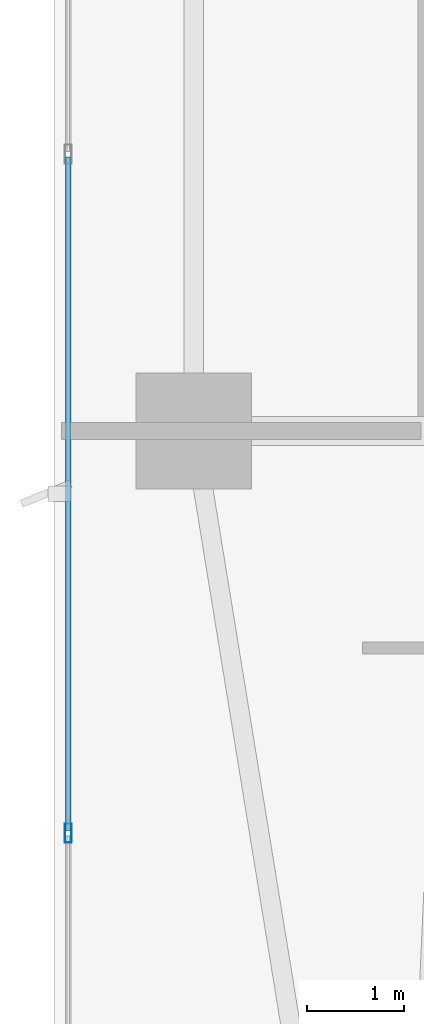
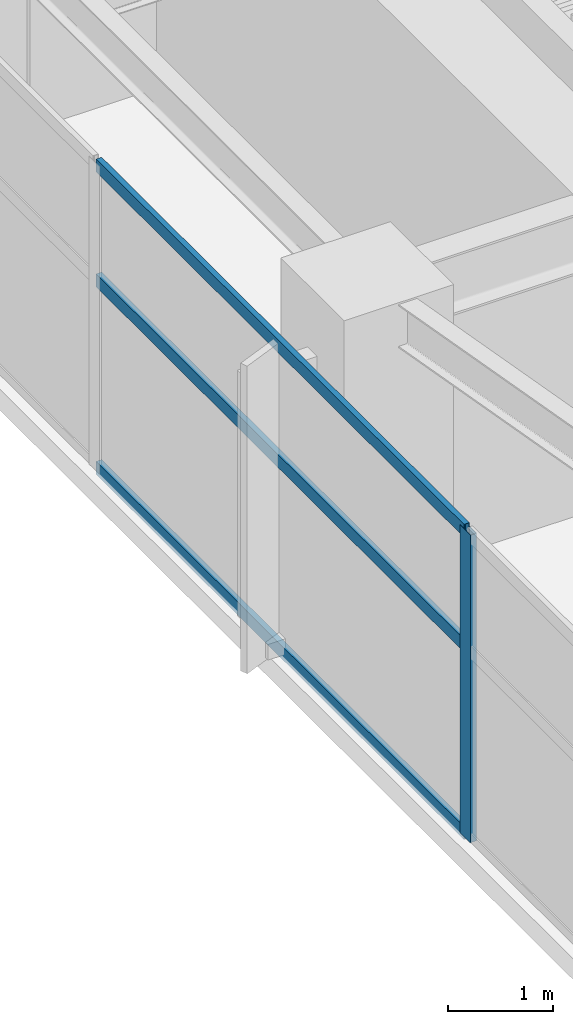
# One storey, part 4 of 28: 4 members, 1 element without a shape of its own.
"""IFC4 building model written with IfcOpenShell, lengths in metres."""

from ifc_helpers import new_model, si_unit, direction, frame, origin, origin_2d, place, context, subcontext, project, spatial, hollow_rectangle, extrude, material, layer, layer_set, material_profile, profile_set, type_object, element, aggregate, save


model = new_model("IFC4")

# Units and contexts
model_context = context("Model", 3, precision=1e-05, world=origin(), true_north=direction((0.0, 1.0)))
body_context = subcontext(model_context, "Body", "Model", "MODEL_VIEW")
ifc_project = project(units=[si_unit("LENGTHUNIT", "METRE"), si_unit("AREAUNIT", "SQUARE_METRE"), si_unit("VOLUMEUNIT", "CUBIC_METRE"), si_unit("PLANEANGLEUNIT", "RADIAN"), si_unit("MASSUNIT", "GRAM", prefix="KILO")], contexts=[model_context])

# Site, building, storey
site_placement = place(None, origin())
site = spatial("IfcSite", under=ifc_project, at=site_placement, CompositionType="ELEMENT")
building_placement = place(site_placement, origin())
building = spatial("IfcBuilding", under=site, at=building_placement, Name="Calvorn Quay Hotel", CompositionType="ELEMENT")
storey_placement = place(building_placement, frame((0.0, 0.0, 116.39990234375)))
storey = spatial("IfcBuildingStorey", under=building, at=storey_placement, Name="L28", CompositionType="ELEMENT", Elevation=116.39990234375)

# Curtain wall, members
ifc_material_1 = material(Name="Pale Anodised Aluminium and Low-E Glass", Category="aluminium")
ifc_layer = layer(ifc_material_1, 0.219970703125)
ifc_layer_set = layer_set([ifc_layer], Name="CW-SYS-Z2")
curtain_wall_type = type_object("IfcCurtainWallType", Name="CW-SYS-Z2", PredefinedType="NOTDEFINED", material=ifc_layer_set)
curtain_wall_placement = place(storey_placement, origin())
curtain_wall = element("IfcCurtainWall", 1, at=curtain_wall_placement, inside=storey, type_object=curtain_wall_type, Name="Tower West Curtain Wall (L28)", PredefinedType="NOTDEFINED")
ifc_material_2 = material(Name="Pale Anodised Aluminium 6063-T6", Category="aluminium")
ifc_material_profile_1 = material_profile(ifc_material_2, hollow_rectangle(XDim=0.070068359375, YDim=0.199951171875, WallThickness=0.00390625, at=origin_2d()), Name="ALU-M200x70x4")
ifc_profile_set_1 = profile_set([ifc_material_profile_1], Name="Pale Anodised Aluminium 6063-T6")
member_type_1 = type_object("IfcMemberType", Name="CW-SYS-Z2-MUL", PredefinedType="MULLION", material=ifc_profile_set_1)
member_1_placement = place(storey_placement, frame((0.14990234375, 12.63330078125, 0.0), z_axis=(0.0, 0.0, 1.0), x_axis=(-1.0, 0.0, 0.0)))
member_1 = element("IfcMember", 2, at=member_1_placement, type_object=member_type_1, Name="CW-L28-W mullion 2", PredefinedType="MULLION", context=body_context, shape_type="SweptSolid", body=[
    extrude(hollow_rectangle(XDim=0.070068359375, YDim=0.199951171875, WallThickness=0.00390625, at=origin_2d()), origin(), (0.0, 0.0, 1.0), 3.56005859375),
])
ifc_material_3 = material(Name="Pale Anodised Aluminium 6063-T6", Category="aluminium")
ifc_material_profile_2 = material_profile(ifc_material_3, hollow_rectangle(XDim=0.06005859375, YDim=0.14990234375, WallThickness=0.00341796875, at=origin_2d()), Name="ALU-T150x60x3.5")
ifc_profile_set_2 = profile_set([ifc_material_profile_2], Name="Pale Anodised Aluminium 6063-T6")
member_type_2 = type_object("IfcMemberType", Name="CW-SYS-Z2-TRN", PredefinedType="USERDEFINED", material=ifc_profile_set_2)
member_2_placement = place(storey_placement, frame((0.14990234375, 12.663330078125, 0.030029296875), z_axis=(0.0, 1.0, 0.0), x_axis=(-1.0, 0.0, 0.0)))
member_2 = element("IfcMember", 3, at=member_2_placement, type_object=member_type_2, Name="CW-L28-W transom 2.1", ObjectType="TRANSOM", PredefinedType="USERDEFINED", context=body_context, shape_type="SweptSolid", body=[
    extrude(hollow_rectangle(XDim=0.06005859375, YDim=0.14990234375, WallThickness=0.00341796875, at=origin_2d()), origin(), (0.0, 0.0, 1.0), 6.973388671875),
])
member_3_placement = place(storey_placement, frame((0.14990234375, 12.663330078125, 2.2001953125), z_axis=(0.0, 1.0, 0.0), x_axis=(-1.0, 0.0, 0.0)))
member_3 = element("IfcMember", 4, at=member_3_placement, type_object=member_type_2, Name="CW-L28-W transom 2.2", ObjectType="TRANSOM", PredefinedType="USERDEFINED", context=body_context, shape_type="SweptSolid", body=[
    extrude(hollow_rectangle(XDim=0.06005859375, YDim=0.14990234375, WallThickness=0.00341796875, at=origin_2d()), origin(), (0.0, 0.0, 1.0), 6.973388671875),
])
member_4_placement = place(storey_placement, frame((0.14990234375, 12.663330078125, 3.530029296875), z_axis=(0.0, 1.0, 0.0), x_axis=(-1.0, 0.0, 0.0)))
member_4 = element("IfcMember", 5, at=member_4_placement, type_object=member_type_2, Name="CW-L28-W transom 2.3", ObjectType="TRANSOM", PredefinedType="USERDEFINED", context=body_context, shape_type="SweptSolid", body=[
    extrude(hollow_rectangle(XDim=0.06005859375, YDim=0.14990234375, WallThickness=0.00341796875, at=origin_2d()), origin(), (0.0, 0.0, 1.0), 6.973388671875),
])
aggregate(curtain_wall, [member_1, member_2, member_3, member_4])

save(model, "model.ifc")
